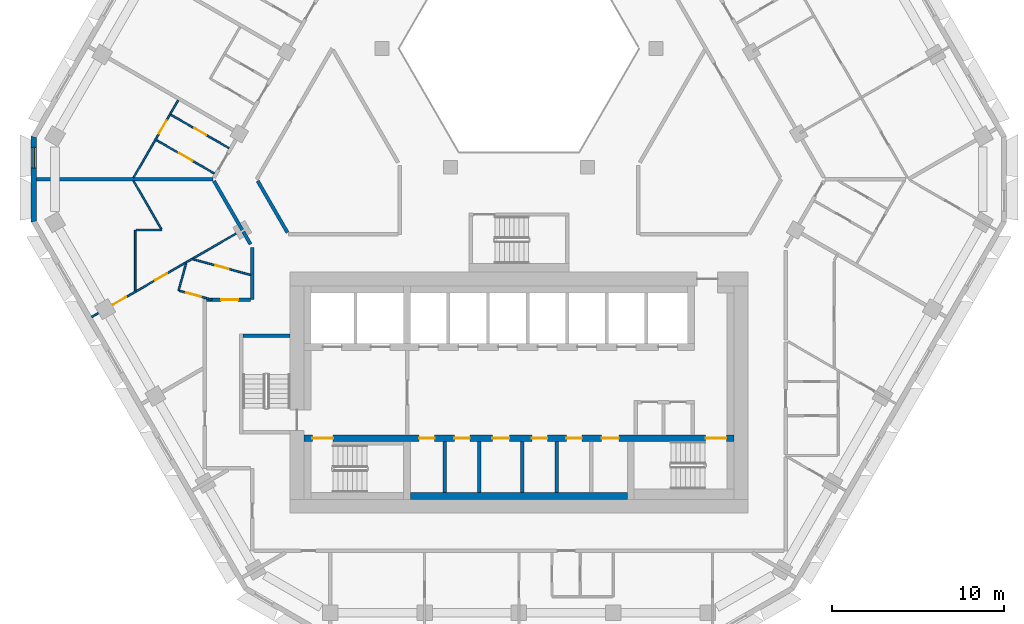
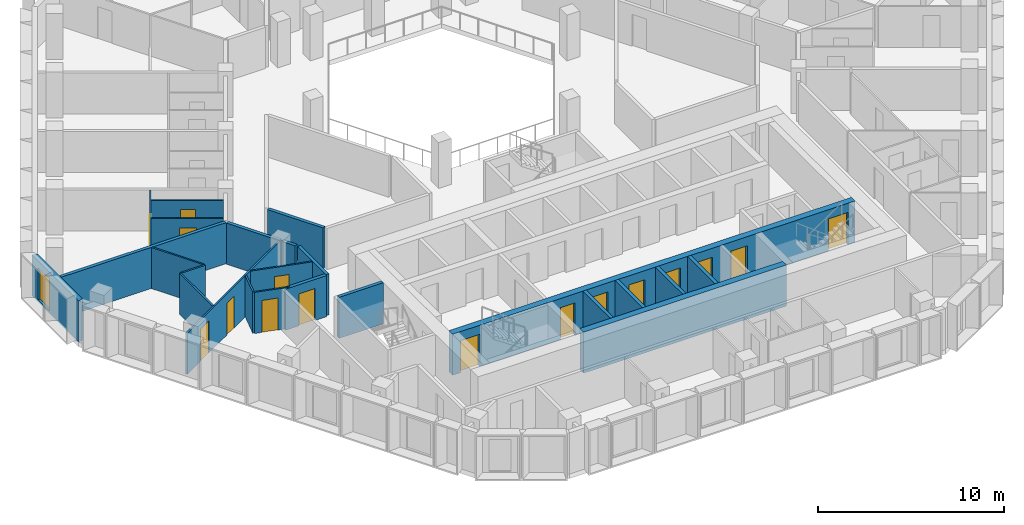
# One storey, part 4 of 15: 24 walls, 16 doors, 1 window, 17 openings.
"""IFC4 building model written with IfcOpenShell, lengths in metres."""

from ifc_helpers import new_model, si_unit, direction, frame, frame_2d, origin, place, context, subcontext, project, spatial, polyline, rectangle, outline, extrude, material, layer, layer_set, type_object, element, fill, save


model = new_model("IFC4")

# Units and contexts
model_context = context("Model", 3, precision=1e-05, world=origin(), true_north=direction((0.0, 1.0)))
body_context = subcontext(model_context, "Body", "Model", "MODEL_VIEW")
ifc_project = project(units=[si_unit("LENGTHUNIT", "METRE"), si_unit("AREAUNIT", "SQUARE_METRE"), si_unit("VOLUMEUNIT", "CUBIC_METRE"), si_unit("PLANEANGLEUNIT", "RADIAN"), si_unit("MASSUNIT", "GRAM", prefix="KILO")], contexts=[model_context])

# Site, building, storey
site_placement = place(None, origin())
site = spatial("IfcSite", under=ifc_project, at=site_placement, CompositionType="ELEMENT")
building_placement = place(site_placement, origin())
building = spatial("IfcBuilding", under=site, at=building_placement, Name="Beryl Residences", CompositionType="ELEMENT")
storey_placement = place(building_placement, frame((0.0, 0.0, 135.60009765625)))
storey = spatial("IfcBuildingStorey", under=building, at=storey_placement, Name="L41", CompositionType="ELEMENT", Elevation=135.60009765625)

# Wall, opening, window
ifc_material_1 = material(Name="Composite metal panel with mineral wool insulation")
ifc_layer_1 = layer(ifc_material_1, 0.300048828125)
ifc_layer_set_1 = layer_set([ifc_layer_1], Name="ES1 pale metal composite panel wall 300 mm")
wall_type_1 = type_object("IfcWallType", Name="ES1 pale metal composite panel wall 300 mm", PredefinedType="SOLIDWALL", material=ifc_layer_set_1)
wall_1_placement = place(storey_placement, frame((-28.197998046875, 2.89990234375, 0.0), z_axis=(0.0, 0.0, 1.0), x_axis=(0.0, -1.0, 0.0)))
wall_1 = element("IfcWall", 1, at=wall_1_placement, inside=storey, type_object=wall_type_1, Name="ES1 external wall L41 NW-SW", PredefinedType="SOLIDWALL", context=body_context, shape_type="SweptSolid", body=[
    extrude(outline(polyline([(0.0, -0.14990234375), (5.0, -0.14990234375), (4.919677734375, 0.14990234375), (0.080322265625, 0.14990234375), (0.0, -0.14990234375)])), origin(), (0.0, 0.0, 1.0), 2.699951171875),
])
opening_1_placement = place(wall_1_placement, frame((0.64990234375, 0.0, 0.14990234375)))
opening_1 = element("IfcOpeningElement", 2, at=opening_1_placement, cuts=wall_1, Name="Opening W2", PredefinedType="OPENING", context=body_context, shape_type="SweptSolid", body=[
    extrude(rectangle(XDim=1.199951171875, YDim=2.10009765625, at=frame_2d((0.60009765625, 1.050048828125))), frame((0.0, 0.159912109375, 0.0), z_axis=(0.0, -1.0, 0.0), x_axis=(1.0, 0.0, 0.0)), (0.0, 0.0, 1.0), 0.320068359375),
])
ifc_material_2 = material(Name="Aluminium and clear glass", Category="aluminium")
window_type = type_object("IfcWindowType", Name="W2 chamfer window 1200 x 2100 mm", PartitioningType="SINGLE_PANEL", PredefinedType="WINDOW", material=ifc_material_2)
window_placement = place(opening_1_placement, origin())
window = element("IfcWindow", 3, at=window_placement, inside=storey, type_object=window_type, Name="W2 window L41 NW-SW 1", OverallHeight=2.10009765625, OverallWidth=1.199951171875, PartitioningType="SINGLE_PANEL", PredefinedType="WINDOW", context=body_context, shape_type="SweptSolid", body=[
    extrude(rectangle(XDim=1.199951171875, YDim=2.10009765625, at=frame_2d((0.60009765625, 1.050048828125))), frame((0.0, 0.030029296875, 0.0), z_axis=(0.0, -1.0, 0.0), x_axis=(1.0, 0.0, 0.0)), (0.0, 0.0, 1.0), 0.06005859375),
])
fill(opening_1, window)

# Wall
ifc_material_3 = material(Name="Gypsum board partition on steel studs", Category="steel")
ifc_layer_2 = layer(ifc_material_3, 0.10009765625)
ifc_layer_set_2 = layer_set([ifc_layer_2], Name="PT1 partition 100 mm gypsum board on steel studs")
wall_type_2 = type_object("IfcWallType", Name="PT1 partition 100 mm gypsum board on steel studs", PredefinedType="PARTITIONING", material=ifc_layer_set_2)
wall_2_placement = place(storey_placement, frame((-22.39794921875, 0.299072265625, 0.0), z_axis=(0.0, 0.0, 1.0), x_axis=(0.50004249738, -0.86600086652, 0.0)))
element("IfcWall", 4, at=wall_2_placement, inside=storey, type_object=wall_type_2, Name="Wall PT1 L41 002", PredefinedType="PARTITIONING", context=body_context, shape_type="SweptSolid", body=[
    extrude(rectangle(XDim=3.235595703125, YDim=0.10009765625, at=frame_2d((1.61767578125, 0.0))), origin(), (0.0, 0.0, 1.0), 2.699951171875),
])

# Wall, opening, door
wall_3_placement = place(storey_placement, frame((-18.930908203125, -4.2529296875, 0.0), z_axis=(0.0, 0.0, 1.0), x_axis=(0.96479645258, -0.262997728296, 0.0)))
wall_3 = element("IfcWall", 5, at=wall_3_placement, inside=storey, type_object=wall_type_2, Name="Wall PT1 L41 007", PredefinedType="PARTITIONING", context=body_context, shape_type="SweptSolid", body=[
    extrude(rectangle(XDim=3.452392578125, YDim=0.10009765625, at=frame_2d((1.72607421875, 0.0))), origin(), (0.0, 0.0, 1.0), 2.699951171875),
])
opening_2_placement = place(wall_3_placement, frame((1.343017578125, 0.0, 0.0)))
opening_2 = element("IfcOpeningElement", 6, at=opening_2_placement, cuts=wall_3, Name="Opening D1349", PredefinedType="OPENING", context=body_context, shape_type="SweptSolid", body=[
    extrude(rectangle(XDim=0.800048828125, YDim=2.10009765625, at=frame_2d((0.39990234375, 1.050048828125))), frame((0.0, 0.06005859375, 0.0), z_axis=(0.0, -1.0, 0.0), x_axis=(1.0, 0.0, 0.0)), (0.0, 0.0, 1.0), 0.1201171875),
])
ifc_material_4 = material(Name="Timber door leaf", Category="wood")
door_type_1 = type_object("IfcDoorType", Name="D3 bathroom door 800 x 2100 mm", OperationType="SINGLE_SWING_LEFT", PredefinedType="DOOR", material=ifc_material_4)
door_1_placement = place(opening_2_placement, origin())
door_1 = element("IfcDoor", 7, at=door_1_placement, inside=storey, type_object=door_type_1, Name="Door D1349 L41 001", OperationType="SINGLE_SWING_LEFT", OverallHeight=2.10009765625, OverallWidth=0.800048828125, PredefinedType="DOOR", context=body_context, shape_type="SweptSolid", body=[
    extrude(rectangle(XDim=0.800048828125, YDim=2.10009765625, at=frame_2d((0.39990234375, 1.050048828125))), frame((0.0, 0.02490234375, 0.0), z_axis=(0.0, -1.0, 0.0), x_axis=(1.0, 0.0, 0.0)), (0.0, 0.0, 1.0), 0.050048828125),
])
fill(opening_2, door_1)

wall_4_placement = place(storey_placement, frame((-19.72998046875, -6.0869140625, 0.0), z_axis=(0.0, 0.0, 1.0), x_axis=(0.964700186442, -0.263350622325, 0.0)))
wall_4 = element("IfcWall", 8, at=wall_4_placement, inside=storey, type_object=wall_type_2, Name="Wall PT1 L41 008", PredefinedType="PARTITIONING", context=body_context, shape_type="SweptSolid", body=[
    extrude(rectangle(XDim=1.94873046875, YDim=0.10009765625, at=frame_2d((0.974365234375, 0.0))), origin(), (0.0, 0.0, 1.0), 2.699951171875),
])
opening_3_placement = place(wall_4_placement, frame((0.39892578125, 0.0, 0.0)))
opening_3 = element("IfcOpeningElement", 9, at=opening_3_placement, cuts=wall_4, Name="Opening D1350", PredefinedType="OPENING", context=body_context, shape_type="SweptSolid", body=[
    extrude(rectangle(XDim=0.89990234375, YDim=2.10009765625, at=frame_2d((0.449951171875, 1.050048828125))), frame((0.0, 0.06005859375, 0.0), z_axis=(0.0, -1.0, 0.0), x_axis=(1.0, 0.0, 0.0)), (0.0, 0.0, 1.0), 0.1201171875),
])
ifc_material_5 = material(Name="Timber door leaf", Category="wood")
door_type_2 = type_object("IfcDoorType", Name="D2 room door 900 x 2100 mm", OperationType="SINGLE_SWING_LEFT", PredefinedType="DOOR", material=ifc_material_5)
door_2_placement = place(opening_3_placement, origin())
door_2 = element("IfcDoor", 10, at=door_2_placement, inside=storey, type_object=door_type_2, Name="Door D1350 L41 001", OperationType="SINGLE_SWING_RIGHT", OverallHeight=2.10009765625, OverallWidth=0.89990234375, PredefinedType="DOOR", context=body_context, shape_type="SweptSolid", body=[
    extrude(rectangle(XDim=0.89990234375, YDim=2.10009765625, at=frame_2d((0.449951171875, 1.050048828125))), frame((0.0, 0.02490234375, 0.0), z_axis=(0.0, -1.0, 0.0), x_axis=(1.0, 0.0, 0.0)), (0.0, 0.0, 1.0), 0.050048828125),
])
fill(opening_3, door_2)

wall_5_placement = place(storey_placement, frame((-20.23291015625, 4.14892578125, 0.0), z_axis=(0.0, 0.0, 1.0), x_axis=(0.867293167797, -0.497797711016, 0.0)))
wall_5 = element("IfcWall", 11, at=wall_5_placement, inside=storey, type_object=wall_type_2, Name="Wall PT1 L41 011", PredefinedType="PARTITIONING", context=body_context, shape_type="SweptSolid", body=[
    extrude(rectangle(XDim=3.89697265625, YDim=0.10009765625, at=frame_2d((1.948486328125, 0.0))), origin(), (0.0, 0.0, 1.0), 2.699951171875),
])
opening_4_placement = place(wall_5_placement, frame((1.573974609375, 0.0, 0.0)))
opening_4 = element("IfcOpeningElement", 12, at=opening_4_placement, cuts=wall_5, Name="Opening D1345", PredefinedType="OPENING", context=body_context, shape_type="SweptSolid", body=[
    extrude(rectangle(XDim=0.800048828125, YDim=2.10009765625, at=frame_2d((0.39990234375, 1.050048828125))), frame((0.0, 0.06005859375, 0.0), z_axis=(0.0, -1.0, 0.0), x_axis=(1.0, 0.0, 0.0)), (0.0, 0.0, 1.0), 0.1201171875),
])
door_3_placement = place(opening_4_placement, origin())
door_3 = element("IfcDoor", 13, at=door_3_placement, inside=storey, type_object=door_type_1, Name="Door D1345 L41 001", OperationType="SINGLE_SWING_LEFT", OverallHeight=2.10009765625, OverallWidth=0.800048828125, PredefinedType="DOOR", context=body_context, shape_type="SweptSolid", body=[
    extrude(rectangle(XDim=0.800048828125, YDim=2.10009765625, at=frame_2d((0.39990234375, 1.050048828125))), frame((0.0, 0.02490234375, 0.0), z_axis=(0.0, -1.0, 0.0), x_axis=(1.0, 0.0, 0.0)), (0.0, 0.0, 1.0), 0.050048828125),
])
fill(opening_4, door_3)

wall_6_placement = place(storey_placement, frame((-21.0830078125, 2.677001953125, 0.0), z_axis=(0.0, 0.0, 1.0), x_axis=(0.867308690764, -0.497770664991, 0.0)))
wall_6 = element("IfcWall", 14, at=wall_6_placement, inside=storey, type_object=wall_type_2, Name="Wall PT1 L41 012", PredefinedType="PARTITIONING", context=body_context, shape_type="SweptSolid", body=[
    extrude(rectangle(XDim=3.897216796875, YDim=0.10009765625, at=frame_2d((1.94873046875, 0.0))), origin(), (0.0, 0.0, 1.0), 2.699951171875),
])
opening_5_placement = place(wall_6_placement, frame((1.52392578125, 0.0, 0.0)))
opening_5 = element("IfcOpeningElement", 15, at=opening_5_placement, cuts=wall_6, Name="Opening D1346", PredefinedType="OPENING", context=body_context, shape_type="SweptSolid", body=[
    extrude(rectangle(XDim=0.89990234375, YDim=2.10009765625, at=frame_2d((0.449951171875, 1.050048828125))), frame((0.0, 0.06005859375, 0.0), z_axis=(0.0, -1.0, 0.0), x_axis=(1.0, 0.0, 0.0)), (0.0, 0.0, 1.0), 0.1201171875),
])
door_4_placement = place(opening_5_placement, origin())
door_4 = element("IfcDoor", 16, at=door_4_placement, inside=storey, type_object=door_type_2, Name="Door D1346 L41 001", OperationType="SINGLE_SWING_RIGHT", OverallHeight=2.10009765625, OverallWidth=0.89990234375, PredefinedType="DOOR", context=body_context, shape_type="SweptSolid", body=[
    extrude(rectangle(XDim=0.89990234375, YDim=2.10009765625, at=frame_2d((0.449951171875, 1.050048828125))), frame((0.0, 0.02490234375, 0.0), z_axis=(0.0, -1.0, 0.0), x_axis=(1.0, 0.0, 0.0)), (0.0, 0.0, 1.0), 0.050048828125),
])
fill(opening_5, door_4)

# Wall
wall_7_placement = place(storey_placement, frame((-22.24609375, -2.552978515625, 0.0), z_axis=(0.0, 0.0, 1.0), x_axis=(1.0, 0.0, 0.0)))
element("IfcWall", 17, at=wall_7_placement, inside=storey, type_object=wall_type_2, Name="Wall PT1 L41 024", PredefinedType="PARTITIONING", context=body_context, shape_type="SweptSolid", body=[
    extrude(rectangle(XDim=1.4951171875, YDim=0.10009765625, at=frame_2d((0.74755859375, 0.0))), origin(), (0.0, 0.0, 1.0), 2.699951171875),
])

# Wall, opening, door
wall_8_placement = place(storey_placement, frame((-22.39794921875, 0.4990234375, 0.0), z_axis=(0.0, 0.0, 1.0), x_axis=(0.499984806807, 0.866034175401, 0.0)))
wall_8 = element("IfcWall", 18, at=wall_8_placement, inside=storey, type_object=wall_type_2, Name="Wall PT1 L41 033", PredefinedType="PARTITIONING", context=body_context, shape_type="SweptSolid", body=[
    extrude(rectangle(XDim=5.182373046875, YDim=0.10009765625, at=frame_2d((2.59130859375, 0.0))), origin(), (0.0, 0.0, 1.0), 2.699951171875),
])
opening_6_placement = place(wall_8_placement, frame((2.943115234375, 0.0, 0.0)))
opening_6 = element("IfcOpeningElement", 19, at=opening_6_placement, cuts=wall_8, Name="Opening D1347", PredefinedType="OPENING", context=body_context, shape_type="SweptSolid", body=[
    extrude(rectangle(XDim=0.89990234375, YDim=2.10009765625, at=frame_2d((0.449951171875, 1.050048828125))), frame((0.0, 0.06005859375, 0.0), z_axis=(0.0, -1.0, 0.0), x_axis=(1.0, 0.0, 0.0)), (0.0, 0.0, 1.0), 0.1201171875),
])
door_5_placement = place(opening_6_placement, origin())
door_5 = element("IfcDoor", 20, at=door_5_placement, inside=storey, type_object=door_type_2, Name="Door D1347 L41 001", OperationType="SINGLE_SWING_LEFT", OverallHeight=2.10009765625, OverallWidth=0.89990234375, PredefinedType="DOOR", context=body_context, shape_type="SweptSolid", body=[
    extrude(rectangle(XDim=0.89990234375, YDim=2.10009765625, at=frame_2d((0.449951171875, 1.050048828125))), frame((0.0, 0.02490234375, 0.0), z_axis=(0.0, -1.0, 0.0), x_axis=(1.0, 0.0, 0.0)), (0.0, 0.0, 1.0), 0.050048828125),
])
fill(opening_6, door_5)

# Walls
wall_9_placement = place(storey_placement, frame((-19.779052734375, -6.072998046875, 0.0), z_axis=(0.0, 0.0, 1.0), x_axis=(0.262700832967, 0.964877335395, 0.0)))
element("IfcWall", 21, at=wall_9_placement, inside=storey, type_object=wall_type_2, Name="Wall PT1 L41 035", PredefinedType="PARTITIONING", context=body_context, shape_type="SweptSolid", body=[
    extrude(rectangle(XDim=1.636474609375, YDim=0.10009765625, at=frame_2d((0.818359375, 0.0))), origin(), (0.0, 0.0, 1.0), 2.699951171875),
])
wall_10_placement = place(storey_placement, frame((-22.297119140625, -6.0810546875, 0.0), z_axis=(0.0, 0.0, 1.0), x_axis=(0.0, 1.0, 0.0)))
element("IfcWall", 22, at=wall_10_placement, inside=storey, type_object=wall_type_2, Name="Wall PT1 L41 046", PredefinedType="PARTITIONING", context=body_context, shape_type="SweptSolid", body=[
    extrude(rectangle(XDim=3.527099609375, YDim=0.10009765625, at=frame_2d((1.763671875, 0.0))), origin(), (0.0, 0.0, 1.0), 2.699951171875),
])

# Wall, openings, doors
wall_11_placement = place(storey_placement, frame((-24.825927734375, -7.59912109375, 0.0), z_axis=(0.0, 0.0, 1.0), x_axis=(0.866020686789, 0.500008169986, 0.0)))
wall_11 = element("IfcWall", 23, at=wall_11_placement, inside=storey, type_object=wall_type_2, Name="Wall PT1 L41 050", PredefinedType="PARTITIONING", context=body_context, shape_type="SweptSolid", body=[
    extrude(rectangle(XDim=10.010009765625, YDim=0.10009765625, at=frame_2d((5.0048828125, 0.0))), origin(), (0.0, 0.0, 1.0), 2.699951171875),
])
opening_7_placement = place(wall_11_placement, frame((4.243896484375, 0.0, 0.0)))
opening_7 = element("IfcOpeningElement", 24, at=opening_7_placement, cuts=wall_11, Name="Opening D1351", PredefinedType="OPENING", context=body_context, shape_type="SweptSolid", body=[
    extrude(rectangle(XDim=0.800048828125, YDim=2.10009765625, at=frame_2d((0.39990234375, 1.050048828125))), frame((0.0, 0.06005859375, 0.0), z_axis=(0.0, -1.0, 0.0), x_axis=(1.0, 0.0, 0.0)), (0.0, 0.0, 1.0), 0.1201171875),
])
opening_8_placement = place(wall_11_placement, frame((1.409912109375, 0.0, 0.0)))
opening_8 = element("IfcOpeningElement", 25, at=opening_8_placement, cuts=wall_11, Name="Opening D1352", PredefinedType="OPENING", context=body_context, shape_type="SweptSolid", body=[
    extrude(rectangle(XDim=0.89990234375, YDim=2.10009765625, at=frame_2d((0.449951171875, 1.050048828125))), frame((0.0, 0.06005859375, 0.0), z_axis=(0.0, -1.0, 0.0), x_axis=(1.0, 0.0, 0.0)), (0.0, 0.0, 1.0), 0.1201171875),
])
door_6_placement = place(opening_8_placement, origin())
door_6 = element("IfcDoor", 26, at=door_6_placement, inside=storey, type_object=door_type_2, Name="Door D1352 L41 001", OperationType="SINGLE_SWING_RIGHT", OverallHeight=2.10009765625, OverallWidth=0.89990234375, PredefinedType="DOOR", context=body_context, shape_type="SweptSolid", body=[
    extrude(rectangle(XDim=0.89990234375, YDim=2.10009765625, at=frame_2d((0.449951171875, 1.050048828125))), frame((0.0, 0.02490234375, 0.0), z_axis=(0.0, -1.0, 0.0), x_axis=(1.0, 0.0, 0.0)), (0.0, 0.0, 1.0), 0.050048828125),
])
fill(opening_8, door_6)
door_7_placement = place(opening_7_placement, origin())
door_7 = element("IfcDoor", 27, at=door_7_placement, inside=storey, type_object=door_type_1, Name="Door D1351 L41 001", OperationType="SINGLE_SWING_LEFT", OverallHeight=2.10009765625, OverallWidth=0.800048828125, PredefinedType="DOOR", context=body_context, shape_type="SweptSolid", body=[
    extrude(rectangle(XDim=0.800048828125, YDim=2.10009765625, at=frame_2d((0.39990234375, 1.050048828125))), frame((0.0, 0.02490234375, 0.0), z_axis=(0.0, -1.0, 0.0), x_axis=(1.0, 0.0, 0.0)), (0.0, 0.0, 1.0), 0.050048828125),
])
fill(opening_7, door_7)

# Walls
ifc_material_6 = material(Name="Acoustic double stud gypsum board wall")
ifc_layer_3 = layer(ifc_material_6, 0.199951171875)
ifc_layer_set_3 = layer_set([ifc_layer_3], Name="PT3 party wall 200 mm acoustic double stud")
wall_type_3 = type_object("IfcWallType", Name="PT3 party wall 200 mm acoustic double stud", PredefinedType="PARTITIONING", material=ifc_layer_set_3)
wall_12_placement = place(storey_placement, frame((-28.048095703125, 0.39892578125, 0.0), z_axis=(0.0, 0.0, 1.0), x_axis=(1.0, 0.0, 0.0)))
element("IfcWall", 28, at=wall_12_placement, inside=storey, type_object=wall_type_3, Name="Wall PT3 L41 006", PredefinedType="PARTITIONING", context=body_context, shape_type="SweptSolid", body=[
    extrude(rectangle(XDim=10.26611328125, YDim=0.199951171875, at=frame_2d((5.133056640625, 0.0))), origin(), (0.0, 0.0, 1.0), 2.699951171875),
])
ifc_material_7 = material(Name="Double stud gypsum board wall")
ifc_layer_4 = layer(ifc_material_7, 0.199951171875)
ifc_layer_set_4 = layer_set([ifc_layer_4], Name="PT4 corridor wall 200 mm double stud")
wall_type_4 = type_object("IfcWallType", Name="PT4 corridor wall 200 mm double stud", PredefinedType="PARTITIONING", material=ifc_layer_set_4)
wall_13_placement = place(storey_placement, frame((-15.18408203125, 0.299072265625, 0.0), z_axis=(0.0, 0.0, 1.0), x_axis=(0.500149577091, -0.865939028186, 0.0)))
element("IfcWall", 29, at=wall_13_placement, inside=storey, type_object=wall_type_4, Name="Wall PT4 L41 002", PredefinedType="PARTITIONING", context=body_context, shape_type="SweptSolid", body=[
    extrude(rectangle(XDim=3.46337890625, YDim=0.199951171875, at=frame_2d((1.731689453125, 0.0))), origin(), (0.0, 0.0, 1.0), 2.699951171875),
])
wall_14_placement = place(storey_placement, frame((-17.72412109375, 0.299072265625, 0.0), z_axis=(0.0, 0.0, 1.0), x_axis=(0.499923815713, -0.866069384335, 0.0)))
element("IfcWall", 30, at=wall_14_placement, inside=storey, type_object=wall_type_4, Name="Wall PT4 L41 003", PredefinedType="PARTITIONING", context=body_context, shape_type="SweptSolid", body=[
    extrude(rectangle(XDim=3.28857421875, YDim=0.199951171875, at=frame_2d((1.644287109375, 0.0))), origin(), (0.0, 0.0, 1.0), 2.699951171875),
])
wall_15_placement = place(storey_placement, frame((-16.02001953125, -2.652099609375, 0.0), z_axis=(0.0, 0.0, 1.0), x_axis=(0.499764376199, -0.866161398518, 0.0)))
element("IfcWall", 31, at=wall_15_placement, inside=storey, type_object=wall_type_4, Name="Wall PT4 L41 004", PredefinedType="PARTITIONING", context=body_context, shape_type="SweptSolid", body=[
    extrude(rectangle(XDim=0.84033203125, YDim=0.199951171875, at=frame_2d((0.420166015625, 0.0))), origin(), (0.0, 0.0, 1.0), 2.699951171875),
])

# Wall, opening, door
wall_16_placement = place(storey_placement, frame((-18.14892578125, -6.60009765625, 0.0), z_axis=(0.0, 0.0, 1.0), x_axis=(1.0, 0.0, 0.0)))
wall_16 = element("IfcWall", 32, at=wall_16_placement, inside=storey, type_object=wall_type_4, Name="Wall PT4 L41 009", PredefinedType="PARTITIONING", context=body_context, shape_type="SweptSolid", body=[
    extrude(rectangle(XDim=2.548828125, YDim=0.199951171875, at=frame_2d((1.2744140625, 0.0))), origin(), (0.0, 0.0, 1.0), 2.699951171875),
])
opening_9_placement = place(wall_16_placement, frame((0.833984375, 0.0, 0.0)))
opening_9 = element("IfcOpeningElement", 33, at=opening_9_placement, cuts=wall_16, Name="Opening D1348", PredefinedType="OPENING", context=body_context, shape_type="SweptSolid", body=[
    extrude(rectangle(XDim=1.0, YDim=2.10009765625, at=frame_2d((0.5, 1.050048828125))), frame((0.0, 0.10986328125, 0.0), z_axis=(0.0, -1.0, 0.0), x_axis=(1.0, 0.0, 0.0)), (0.0, 0.0, 1.0), 0.219970703125),
])
ifc_material_8 = material(Name="Timber door leaf", Category="wood")
door_type_3 = type_object("IfcDoorType", Name="D1 flat entrance door 1000 x 2100 mm", OperationType="SINGLE_SWING_LEFT", PredefinedType="DOOR", material=ifc_material_8)
door_8_placement = place(opening_9_placement, origin())
door_8 = element("IfcDoor", 34, at=door_8_placement, inside=storey, type_object=door_type_3, Name="Door D1348 L41 001", OperationType="SINGLE_SWING_RIGHT", OverallHeight=2.10009765625, OverallWidth=1.0, PredefinedType="DOOR", context=body_context, shape_type="SweptSolid", body=[
    extrude(rectangle(XDim=1.0, YDim=2.10009765625, at=frame_2d((0.5, 1.050048828125))), frame((0.0, 0.02490234375, 0.0), z_axis=(0.0, -1.0, 0.0), x_axis=(1.0, 0.0, 0.0)), (0.0, 0.0, 1.0), 0.050048828125),
])
fill(opening_9, door_8)

# Walls
wall_17_placement = place(storey_placement, frame((-15.5, -6.60009765625, 0.0), z_axis=(0.0, 0.0, 1.0), x_axis=(0.0, 1.0, 0.0)))
element("IfcWall", 35, at=wall_17_placement, inside=storey, type_object=wall_type_4, Name="Wall PT4 L41 028", PredefinedType="PARTITIONING", context=body_context, shape_type="SweptSolid", body=[
    extrude(rectangle(XDim=3.047119140625, YDim=0.199951171875, at=frame_2d((1.5234375, 0.0))), origin(), (0.0, 0.0, 1.0), 2.699951171875),
])
ifc_material_9 = material(Name="Concrete C40/50", Category="concrete")
ifc_layer_5 = layer(ifc_material_9, 0.199951171875)
ifc_layer_set_5 = layer_set([ifc_layer_5], Name="PT5 stair enclosure wall 200 mm reinforced concrete C40/50")
wall_type_5 = type_object("IfcWallType", Name="PT5 stair enclosure wall 200 mm reinforced concrete C40/50", PredefinedType="SOLIDWALL", material=ifc_layer_set_5)
wall_18_placement = place(storey_placement, frame((-16.050048828125, -8.699951171875, 0.0), z_axis=(0.0, 0.0, 1.0), x_axis=(1.0, 0.0, 0.0)))
element("IfcWall", 36, at=wall_18_placement, inside=storey, type_object=wall_type_5, Name="Stair wall 03", PredefinedType="SOLIDWALL", context=body_context, shape_type="SweptSolid", body=[
    extrude(rectangle(XDim=2.75, YDim=0.199951171875, at=frame_2d((1.375, 0.0))), origin(), (0.0, 0.0, 1.0), 2.699951171875),
])
ifc_material_10 = material(Name="Concrete masonry", Category="masonry")
ifc_layer_6 = layer(ifc_material_10, 0.199951171875)
ifc_layer_set_6 = layer_set([ifc_layer_6], Name="PT8-200 service room wall 200 mm")
wall_type_6 = type_object("IfcWallType", Name="PT8-200 service room wall 200 mm", PredefinedType="PARTITIONING", material=ifc_layer_set_6)
for number, where, z_axis, x_axis, name in (
    (37, (-4.300048828125, -17.800048828125, 0.0), (0.0, 0.0, 1.0), (0.0, 1.0, 0.0), "Core room wall 14"),
    (38, (-2.300048828125, -17.800048828125, 0.0), (0.0, 0.0, 1.0), (0.0, 1.0, 0.0), "Core room wall 16"),
    (39, (0.199951171875, -17.800048828125, 0.0), (0.0, 0.0, 1.0), (0.0, 1.0, 0.0), "Core room wall 18"),
    (40, (2.199951171875, -17.800048828125, 0.0), (0.0, 0.0, 1.0), (0.0, 1.0, 0.0), "Core room wall 20"),
):
    element("IfcWall", number, at=place(storey_placement, frame(where, z_axis=z_axis, x_axis=x_axis)), inside=storey, type_object=wall_type_6, Name=name, PredefinedType="PARTITIONING", context=body_context, shape_type="SweptSolid", body=[
        extrude(rectangle(XDim=2.949951171875, YDim=0.199951171875, at=frame_2d((1.47509765625, 0.0))), origin(), (0.0, 0.0, 1.0), 2.699951171875),
    ])
ifc_material_11 = material(Name="Concrete masonry", Category="masonry")
ifc_layer_7 = layer(ifc_material_11, 0.39990234375)
ifc_layer_set_7 = layer_set([ifc_layer_7], Name="PT8-400 service room wall 400 mm")
wall_type_7 = type_object("IfcWallType", Name="PT8-400 service room wall 400 mm", PredefinedType="PARTITIONING", material=ifc_layer_set_7)
wall_19_placement = place(storey_placement, frame((-6.300048828125, -18.0, 0.0), z_axis=(0.0, 0.0, 1.0), x_axis=(1.0, 0.0, 0.0)))
element("IfcWall", 41, at=wall_19_placement, inside=storey, type_object=wall_type_7, Name="Core room wall 12", PredefinedType="PARTITIONING", context=body_context, shape_type="SweptSolid", body=[
    extrude(rectangle(XDim=12.60009765625, YDim=0.39990234375, at=frame_2d((6.300048828125, 0.0))), origin(), (0.0, 0.0, 1.0), 2.699951171875),
])

# Wall, openings, doors
ifc_material_12 = material(Name="Concrete C60/75", Category="concrete")
ifc_layer_8 = layer(ifc_material_12, 0.39990234375)
ifc_layer_set_8 = layer_set([ifc_layer_8], Name="SW8 core internal wall 400 mm C60/75")
wall_type_8 = type_object("IfcWallType", Name="SW8 core internal wall 400 mm C60/75", PredefinedType="SHEAR", material=ifc_layer_set_8)
wall_20_placement = place(storey_placement, frame((-12.5, -14.64990234375, 0.0), z_axis=(0.0, 0.0, 1.0), x_axis=(1.0, 0.0, 0.0)))
wall_20 = element("IfcWall", 42, at=wall_20_placement, inside=storey, type_object=wall_type_8, Name="Core wall SP1 L41", PredefinedType="SHEAR", context=body_context, shape_type="SweptSolid", body=[
    extrude(rectangle(XDim=25.0, YDim=0.39990234375, at=frame_2d((12.5, 0.0))), origin(), (0.0, 0.0, 1.0), 2.699951171875),
])
opening_10_placement = place(wall_20_placement, frame((1.699951171875, 0.0, 0.0), z_axis=(0.0, 0.0, 1.0), x_axis=(-1.0, 0.0, 0.0)))
opening_10 = element("IfcOpeningElement", 43, at=opening_10_placement, cuts=wall_20, Name="Opening SD-1", PredefinedType="OPENING", context=body_context, shape_type="SweptSolid", body=[
    extrude(rectangle(XDim=1.199951171875, YDim=2.10009765625, at=frame_2d((0.60009765625, 1.050048828125))), frame((0.0, 0.2099609375, 0.0), z_axis=(0.0, -1.0, 0.0), x_axis=(1.0, 0.0, 0.0)), (0.0, 0.0, 1.0), 0.419921875),
])
opening_11_placement = place(wall_20_placement, frame((24.550048828125, 0.0, 0.0), z_axis=(0.0, 0.0, 1.0), x_axis=(-1.0, 0.0, 0.0)))
opening_11 = element("IfcOpeningElement", 44, at=opening_11_placement, cuts=wall_20, Name="Opening SD-3", PredefinedType="OPENING", context=body_context, shape_type="SweptSolid", body=[
    extrude(rectangle(XDim=1.199951171875, YDim=2.10009765625, at=frame_2d((0.60009765625, 1.050048828125))), frame((0.0, 0.2099609375, 0.0), z_axis=(0.0, -1.0, 0.0), x_axis=(1.0, 0.0, 0.0)), (0.0, 0.0, 1.0), 0.419921875),
])
opening_12_placement = place(wall_20_placement, frame((7.599853515625, 0.0, 0.0), z_axis=(0.0, 0.0, 1.0), x_axis=(-1.0, 0.0, 0.0)))
opening_12 = element("IfcOpeningElement", 45, at=opening_12_placement, cuts=wall_20, Name="Opening CD-D-S1-900", PredefinedType="OPENING", context=body_context, shape_type="SweptSolid", body=[
    extrude(rectangle(XDim=0.89990234375, YDim=2.10009765625, at=frame_2d((0.449951171875, 1.050048828125))), frame((0.0, 0.2099609375, 0.0), z_axis=(0.0, -1.0, 0.0), x_axis=(1.0, 0.0, 0.0)), (0.0, 0.0, 1.0), 0.419921875),
])
opening_13_placement = place(wall_20_placement, frame((9.64990234375, 0.0, 0.0), z_axis=(0.0, 0.0, 1.0), x_axis=(-1.0, 0.0, 0.0)))
opening_13 = element("IfcOpeningElement", 46, at=opening_13_placement, cuts=wall_20, Name="Opening CD-D-S2-900", PredefinedType="OPENING", context=body_context, shape_type="SweptSolid", body=[
    extrude(rectangle(XDim=0.89990234375, YDim=2.10009765625, at=frame_2d((0.449951171875, 1.050048828125))), frame((0.0, 0.2099609375, 0.0), z_axis=(0.0, -1.0, 0.0), x_axis=(1.0, 0.0, 0.0)), (0.0, 0.0, 1.0), 0.419921875),
])
opening_14_placement = place(wall_20_placement, frame((11.949951171875, 0.0, 0.0), z_axis=(0.0, 0.0, 1.0), x_axis=(-1.0, 0.0, 0.0)))
opening_14 = element("IfcOpeningElement", 47, at=opening_14_placement, cuts=wall_20, Name="Opening CD-D-S3", PredefinedType="OPENING", context=body_context, shape_type="SweptSolid", body=[
    extrude(rectangle(XDim=1.0, YDim=2.10009765625, at=frame_2d((0.5, 1.050048828125))), frame((0.0, 0.2099609375, 0.0), z_axis=(0.0, -1.0, 0.0), x_axis=(1.0, 0.0, 0.0)), (0.0, 0.0, 1.0), 0.419921875),
])
opening_15_placement = place(wall_20_placement, frame((14.14990234375, 0.0, 0.0), z_axis=(0.0, 0.0, 1.0), x_axis=(-1.0, 0.0, 0.0)))
opening_15 = element("IfcOpeningElement", 48, at=opening_15_placement, cuts=wall_20, Name="Opening CD-D-S4-900", PredefinedType="OPENING", context=body_context, shape_type="SweptSolid", body=[
    extrude(rectangle(XDim=0.89990234375, YDim=2.10009765625, at=frame_2d((0.449951171875, 1.050048828125))), frame((0.0, 0.2099609375, 0.0), z_axis=(0.0, -1.0, 0.0), x_axis=(1.0, 0.0, 0.0)), (0.0, 0.0, 1.0), 0.419921875),
])
opening_16_placement = place(wall_20_placement, frame((16.14990234375, 0.0, 0.0), z_axis=(0.0, 0.0, 1.0), x_axis=(-1.0, 0.0, 0.0)))
opening_16 = element("IfcOpeningElement", 49, at=opening_16_placement, cuts=wall_20, Name="Opening CD-D-S5-900", PredefinedType="OPENING", context=body_context, shape_type="SweptSolid", body=[
    extrude(rectangle(XDim=0.89990234375, YDim=2.10009765625, at=frame_2d((0.449951171875, 1.050048828125))), frame((0.0, 0.2099609375, 0.0), z_axis=(0.0, -1.0, 0.0), x_axis=(1.0, 0.0, 0.0)), (0.0, 0.0, 1.0), 0.419921875),
])
opening_17_placement = place(wall_20_placement, frame((18.300048828125, 0.0, 0.0), z_axis=(0.0, 0.0, 1.0), x_axis=(-1.0, 0.0, 0.0)))
opening_17 = element("IfcOpeningElement", 50, at=opening_17_placement, cuts=wall_20, Name="Opening CD-D-S6", PredefinedType="OPENING", context=body_context, shape_type="SweptSolid", body=[
    extrude(rectangle(XDim=1.0, YDim=2.10009765625, at=frame_2d((0.5, 1.050048828125))), frame((0.0, 0.2099609375, 0.0), z_axis=(0.0, -1.0, 0.0), x_axis=(1.0, 0.0, 0.0)), (0.0, 0.0, 1.0), 0.419921875),
])
ifc_material_13 = material(Name="Steel door leaf in steel frame", Category="steel")
door_type_4 = type_object("IfcDoorType", Name="D18 service room door 1000 x 2100 mm", OperationType="SINGLE_SWING_LEFT", PredefinedType="DOOR", material=ifc_material_13)
door_9_placement = place(opening_14_placement, origin())
door_9 = element("IfcDoor", 51, at=door_9_placement, inside=storey, type_object=door_type_4, Name="Door CD-D-S3 L41 001", OperationType="SINGLE_SWING_RIGHT", OverallHeight=2.10009765625, OverallWidth=1.0, PredefinedType="DOOR", context=body_context, shape_type="SweptSolid", body=[
    extrude(rectangle(XDim=1.0, YDim=2.10009765625, at=frame_2d((0.5, 1.050048828125))), frame((0.0, 0.02490234375, 0.0), z_axis=(0.0, -1.0, 0.0), x_axis=(1.0, 0.0, 0.0)), (0.0, 0.0, 1.0), 0.050048828125),
])
fill(opening_14, door_9)
door_10_placement = place(opening_17_placement, origin())
door_10 = element("IfcDoor", 52, at=door_10_placement, inside=storey, type_object=door_type_4, Name="Door CD-D-S6 L41 001", OperationType="SINGLE_SWING_LEFT", OverallHeight=2.10009765625, OverallWidth=1.0, PredefinedType="DOOR", context=body_context, shape_type="SweptSolid", body=[
    extrude(rectangle(XDim=1.0, YDim=2.10009765625, at=frame_2d((0.5, 1.050048828125))), frame((0.0, 0.02490234375, 0.0), z_axis=(0.0, -1.0, 0.0), x_axis=(1.0, 0.0, 0.0)), (0.0, 0.0, 1.0), 0.050048828125),
])
fill(opening_17, door_10)
ifc_material_14 = material(Name="Steel door leaf in steel frame", Category="steel")
door_type_5 = type_object("IfcDoorType", Name="D4 stair door 1200 x 2100 mm", OperationType="SINGLE_SWING_LEFT", PredefinedType="DOOR", material=ifc_material_14)
door_11_placement = place(opening_10_placement, origin())
door_11 = element("IfcDoor", 53, at=door_11_placement, inside=storey, type_object=door_type_5, Name="Door SD-1 L41 001", OperationType="SINGLE_SWING_RIGHT", OverallHeight=2.10009765625, OverallWidth=1.199951171875, PredefinedType="DOOR", context=body_context, shape_type="SweptSolid", body=[
    extrude(rectangle(XDim=1.199951171875, YDim=2.10009765625, at=frame_2d((0.60009765625, 1.050048828125))), frame((0.0, 0.02490234375, 0.0), z_axis=(0.0, -1.0, 0.0), x_axis=(1.0, 0.0, 0.0)), (0.0, 0.0, 1.0), 0.050048828125),
])
fill(opening_10, door_11)
door_12_placement = place(opening_11_placement, origin())
door_12 = element("IfcDoor", 54, at=door_12_placement, inside=storey, type_object=door_type_5, Name="Door SD-3 L41 001", OperationType="SINGLE_SWING_RIGHT", OverallHeight=2.10009765625, OverallWidth=1.199951171875, PredefinedType="DOOR", context=body_context, shape_type="SweptSolid", body=[
    extrude(rectangle(XDim=1.199951171875, YDim=2.10009765625, at=frame_2d((0.60009765625, 1.050048828125))), frame((0.0, 0.02490234375, 0.0), z_axis=(0.0, -1.0, 0.0), x_axis=(1.0, 0.0, 0.0)), (0.0, 0.0, 1.0), 0.050048828125),
])
fill(opening_11, door_12)
ifc_material_15 = material(Name="Steel door leaf in steel frame", Category="steel")
door_type_6 = type_object("IfcDoorType", Name="D6 service room door 900 x 2100 mm", OperationType="SINGLE_SWING_LEFT", PredefinedType="DOOR", material=ifc_material_15)
door_13_placement = place(opening_12_placement, origin())
door_13 = element("IfcDoor", 55, at=door_13_placement, inside=storey, type_object=door_type_6, Name="Door CD-D-S1-900 L41 001", OperationType="SINGLE_SWING_RIGHT", OverallHeight=2.10009765625, OverallWidth=0.89990234375, PredefinedType="DOOR", context=body_context, shape_type="SweptSolid", body=[
    extrude(rectangle(XDim=0.89990234375, YDim=2.10009765625, at=frame_2d((0.449951171875, 1.050048828125))), frame((0.0, 0.02490234375, 0.0), z_axis=(0.0, -1.0, 0.0), x_axis=(1.0, 0.0, 0.0)), (0.0, 0.0, 1.0), 0.050048828125),
])
fill(opening_12, door_13)
door_14_placement = place(opening_13_placement, origin())
door_14 = element("IfcDoor", 56, at=door_14_placement, inside=storey, type_object=door_type_6, Name="Door CD-D-S2-900 L41 001", OperationType="SINGLE_SWING_LEFT", OverallHeight=2.10009765625, OverallWidth=0.89990234375, PredefinedType="DOOR", context=body_context, shape_type="SweptSolid", body=[
    extrude(rectangle(XDim=0.89990234375, YDim=2.10009765625, at=frame_2d((0.449951171875, 1.050048828125))), frame((0.0, 0.02490234375, 0.0), z_axis=(0.0, -1.0, 0.0), x_axis=(1.0, 0.0, 0.0)), (0.0, 0.0, 1.0), 0.050048828125),
])
fill(opening_13, door_14)
door_15_placement = place(opening_15_placement, origin())
door_15 = element("IfcDoor", 57, at=door_15_placement, inside=storey, type_object=door_type_6, Name="Door CD-D-S4-900 L41 001", OperationType="SINGLE_SWING_LEFT", OverallHeight=2.10009765625, OverallWidth=0.89990234375, PredefinedType="DOOR", context=body_context, shape_type="SweptSolid", body=[
    extrude(rectangle(XDim=0.89990234375, YDim=2.10009765625, at=frame_2d((0.449951171875, 1.050048828125))), frame((0.0, 0.02490234375, 0.0), z_axis=(0.0, -1.0, 0.0), x_axis=(1.0, 0.0, 0.0)), (0.0, 0.0, 1.0), 0.050048828125),
])
fill(opening_15, door_15)
door_16_placement = place(opening_16_placement, origin())
door_16 = element("IfcDoor", 58, at=door_16_placement, inside=storey, type_object=door_type_6, Name="Door CD-D-S5-900 L41 001", OperationType="SINGLE_SWING_RIGHT", OverallHeight=2.10009765625, OverallWidth=0.89990234375, PredefinedType="DOOR", context=body_context, shape_type="SweptSolid", body=[
    extrude(rectangle(XDim=0.89990234375, YDim=2.10009765625, at=frame_2d((0.449951171875, 1.050048828125))), frame((0.0, 0.02490234375, 0.0), z_axis=(0.0, -1.0, 0.0), x_axis=(1.0, 0.0, 0.0)), (0.0, 0.0, 1.0), 0.050048828125),
])
fill(opening_16, door_16)

save(model, "model.ifc")
